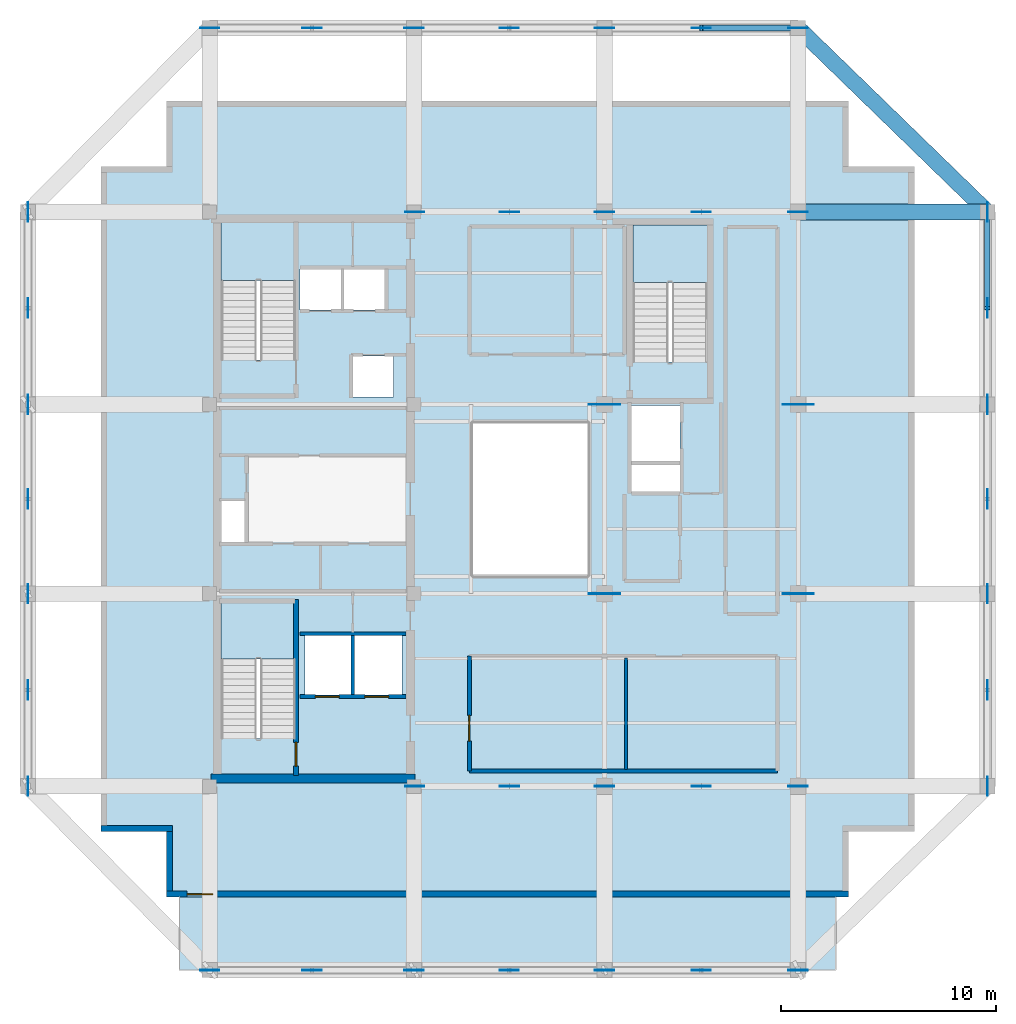
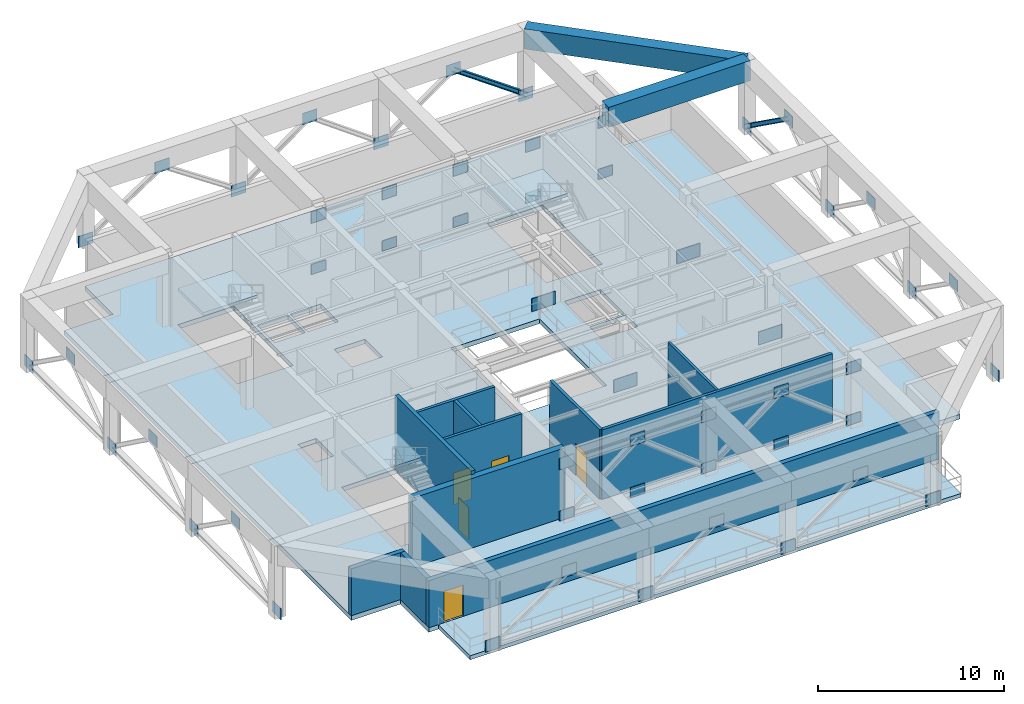
# One storey, part 3 of 10: 52 plates, 11 walls, 5 doors, 5 slabs, 2 beams, 2 members, 5 openings, 3 elements without a shape of their own.
"""IFC4 building model written with IfcOpenShell, lengths in metres."""

from ifc_helpers import new_model, si_unit, direction, frame, frame_2d, origin, origin_2d, place, context, subcontext, project, spatial, polyline, rectangle, i_section, outline, extrude, material, layer, layer_set, material_profile, profile_set, type_object, element, fill, aggregate, save


model = new_model("IFC4")

# Units and contexts
model_context = context("Model", 3, precision=1e-05, world=origin(), true_north=direction((0.0, 1.0)))
body_context = subcontext(model_context, "Body", "Model", "MODEL_VIEW")
ifc_project = project(units=[si_unit("LENGTHUNIT", "METRE"), si_unit("AREAUNIT", "SQUARE_METRE"), si_unit("VOLUMEUNIT", "CUBIC_METRE"), si_unit("PLANEANGLEUNIT", "RADIAN"), si_unit("MASSUNIT", "GRAM", prefix="KILO")], contexts=[model_context])

# Site, building, storey
site_placement = place(None, origin())
site = spatial("IfcSite", under=ifc_project, at=site_placement, CompositionType="ELEMENT")
building_placement = place(site_placement, origin())
building = spatial("IfcBuilding", under=site, at=building_placement, Name="Kundavana Baori Tower", CompositionType="ELEMENT")
storey_placement = place(building_placement, frame((0.0, 0.0, 307.699951171875)))
storey = spatial("IfcBuildingStorey", under=building, at=storey_placement, Name="L76", CompositionType="ELEMENT", Elevation=307.699951171875)

# Beams
ifc_material_1 = material(Name="Concrete C50/60", Category="concrete")
ifc_material_profile_1 = material_profile(ifc_material_1, rectangle(XDim=0.739990234375, YDim=1.320068359375, at=origin_2d()), Name="BM-TG-5")
ifc_profile_set_1 = profile_set([ifc_material_profile_1], Name="Concrete C50/60")
beam_type = type_object("IfcBeamType", Name="BM-TG-5", PredefinedType="USERDEFINED", material=ifc_profile_set_1)
beam_1_placement = place(storey_placement, frame((42.800048828125, 50.5, 4.14013671875), z_axis=(0.717221130298, -0.696845643062, 0.0), x_axis=(0.696845643062, 0.717221130298, 0.0)))
element("IfcBeam", 1, at=beam_1_placement, inside=storey, type_object=beam_type, Name="L76 Notched Corner Perimeter Beam NE", ObjectType="TRANSFER GIRDER", PredefinedType="USERDEFINED", context=body_context, shape_type="SweptSolid", body=[
    extrude(rectangle(XDim=0.739990234375, YDim=1.320068359375, at=origin_2d()), origin(), (0.0, 0.0, 1.0), 12.26953125),
])
beam_2_placement = place(storey_placement, frame((42.800048828125, 41.949951171875, 4.14013671875), z_axis=(1.0, 0.0, 0.0), x_axis=(0.0, 1.0, 0.0)))
element("IfcBeam", 2, at=beam_2_placement, inside=storey, type_object=beam_type, Name="L76 East Radial Transfer Girder E4", ObjectType="TRANSFER GIRDER", PredefinedType="USERDEFINED", context=body_context, shape_type="SweptSolid", body=[
    extrude(rectangle(XDim=0.739990234375, YDim=1.320068359375, at=origin_2d()), origin(), (0.0, 0.0, 1.0), 8.800048828125),
])

# Members
ifc_material_2 = material(Name="Structural Steel S355JR", Category="steel")
ifc_material_profile_2 = material_profile(ifc_material_2, i_section(OverallWidth=0.260009765625, OverallDepth=0.260009765625, WebThickness=0.010009765625, FlangeThickness=0.017578125, FilletRadius=0.02392578125, at=origin_2d()), Name="WPB 260x260x93")
ifc_profile_set_2 = profile_set([ifc_material_profile_2], Name="Structural Steel S355JR")
member_type = type_object("IfcMemberType", Name="MEM-BT-DG260", PredefinedType="BRACE", material=ifc_profile_set_2)
member_1_placement = place(storey_placement, frame((42.800048828125, 50.5, 0.280029296875), z_axis=(-0.814959500914, 0.0, 0.579517913329), x_axis=(0.0, -1.0, 0.0)))
element("IfcMember", 3, at=member_1_placement, inside=storey, type_object=member_type, Name="L76 Perimeter Belt Truss Diagonal N3B", PredefinedType="BRACE", context=body_context, shape_type="SweptSolid", body=[
    extrude(i_section(OverallWidth=0.260009765625, OverallDepth=0.260009765625, WebThickness=0.010009765625, FlangeThickness=0.017578125, FilletRadius=0.02392578125, at=origin_2d()), origin(), (0.0, 0.0, 1.0), 5.521728515625),
])
member_2_placement = place(storey_placement, frame((51.60009765625, 41.949951171875, 0.280029296875), z_axis=(0.0, -0.813421502107, 0.581674702827), x_axis=(1.0, 0.0, 0.0)))
element("IfcMember", 4, at=member_2_placement, inside=storey, type_object=member_type, Name="L76 Perimeter Belt Truss Diagonal E3B", PredefinedType="BRACE", context=body_context, shape_type="SweptSolid", body=[
    extrude(i_section(OverallWidth=0.260009765625, OverallDepth=0.260009765625, WebThickness=0.010009765625, FlangeThickness=0.017578125, FilletRadius=0.02392578125, at=origin_2d()), origin(), (0.0, 0.0, 1.0), 5.501220703125),
])

# Plates
ifc_material_3 = material(Name="Structural Steel S355JR", Category="steel")
ifc_layer_1 = layer(ifc_material_3, 0.031982421875, Name="PLT-GUSSET-32")
ifc_layer_set_1 = layer_set([ifc_layer_1], Name="Structural Steel S355JR")
plate_type_1 = type_object("IfcPlateType", Name="PLT-GUSSET-32", PredefinedType="USERDEFINED", material=ifc_layer_set_1)
for number, where, z_axis, x_axis, name in (
    (5, (24.97998046875, 15.25, -0.094970703125), (0.0, 0.0, 1.0), (1.0, 0.0, 0.0), "L76 Outrigger Truss OT1 Node Gusset Plate 01"),
    (6, (24.97998046875, 15.25, 3.360107421875), (0.0, 0.0, 1.0), (1.0, 0.0, 0.0), "L76 Outrigger Truss OT1 Node Gusset Plate 02"),
    (7, (29.389892578125, 15.25, -0.094970703125), (0.0, 0.0, 1.0), (1.0, 0.0, 0.0), "L76 Outrigger Truss OT1 Node Gusset Plate 03"),
    (8, (29.389892578125, 15.25, 3.360107421875), (0.0, 0.0, 1.0), (1.0, 0.0, 0.0), "L76 Outrigger Truss OT1 Node Gusset Plate 04"),
    (9, (33.800048828125, 15.25, -0.094970703125), (0.0, 0.0, 1.0), (1.0, 0.0, 0.0), "L76 Outrigger Truss OT1 Node Gusset Plate 05"),
    (10, (33.800048828125, 15.25, 3.360107421875), (0.0, 0.0, 1.0), (1.0, 0.0, 0.0), "L76 Outrigger Truss OT1 Node Gusset Plate 06"),
    (11, (38.300048828125, 15.25, -0.094970703125), (0.0, 0.0, 1.0), (1.0, 0.0, 0.0), "L76 Outrigger Truss OT1 Node Gusset Plate 07"),
    (12, (38.300048828125, 15.25, 3.360107421875), (0.0, 0.0, 1.0), (1.0, 0.0, 0.0), "L76 Outrigger Truss OT1 Node Gusset Plate 08"),
    (13, (42.800048828125, 15.25, -0.094970703125), (0.0, 0.0, 1.0), (1.0, 0.0, 0.0), "L76 Outrigger Truss OT1 Node Gusset Plate 09"),
    (14, (42.800048828125, 15.25, 3.360107421875), (0.0, 0.0, 1.0), (1.0, 0.0, 0.0), "L76 Outrigger Truss OT1 Node Gusset Plate 10"),
    (15, (24.97998046875, 41.949951171875, -0.094970703125), (0.0, 0.0, 1.0), (1.0, 0.0, 0.0), "L76 Outrigger Truss OT2 Node Gusset Plate 11"),
    (16, (24.97998046875, 41.949951171875, 3.360107421875), (0.0, 0.0, 1.0), (1.0, 0.0, 0.0), "L76 Outrigger Truss OT2 Node Gusset Plate 12"),
    (17, (29.389892578125, 41.949951171875, -0.094970703125), (0.0, 0.0, 1.0), (1.0, 0.0, 0.0), "L76 Outrigger Truss OT2 Node Gusset Plate 13"),
    (18, (29.389892578125, 41.949951171875, 3.360107421875), (0.0, 0.0, 1.0), (1.0, 0.0, 0.0), "L76 Outrigger Truss OT2 Node Gusset Plate 14"),
    (19, (33.800048828125, 41.949951171875, -0.094970703125), (0.0, 0.0, 1.0), (1.0, 0.0, 0.0), "L76 Outrigger Truss OT2 Node Gusset Plate 15"),
    (20, (33.800048828125, 41.949951171875, 3.360107421875), (0.0, 0.0, 1.0), (1.0, 0.0, 0.0), "L76 Outrigger Truss OT2 Node Gusset Plate 16"),
    (21, (38.300048828125, 41.949951171875, -0.094970703125), (0.0, 0.0, 1.0), (1.0, 0.0, 0.0), "L76 Outrigger Truss OT2 Node Gusset Plate 17"),
    (22, (38.300048828125, 41.949951171875, 3.360107421875), (0.0, 0.0, 1.0), (1.0, 0.0, 0.0), "L76 Outrigger Truss OT2 Node Gusset Plate 18"),
    (23, (42.800048828125, 41.949951171875, -0.094970703125), (0.0, 0.0, 1.0), (1.0, 0.0, 0.0), "L76 Outrigger Truss OT2 Node Gusset Plate 19"),
    (24, (42.800048828125, 41.949951171875, 3.360107421875), (0.0, 0.0, 1.0), (1.0, 0.0, 0.0), "L76 Outrigger Truss OT2 Node Gusset Plate 20"),
    (25, (15.449951171875, 6.699951171875, -0.094970703125), (0.0, 0.0, 1.0), (1.0, 0.0, 0.0), "L76 Belt Truss S Gusset Plate 21"),
    (26, (24.949951171875, 6.699951171875, -0.094970703125), (0.0, 0.0, 1.0), (1.0, 0.0, 0.0), "L76 Belt Truss S Gusset Plate 22"),
    (27, (20.199951171875, 6.699951171875, 3.10498046875), (0.0, 0.0, 1.0), (1.0, 0.0, 0.0), "L76 Belt Truss Apex S Gusset Plate 23"),
    (28, (33.800048828125, 6.699951171875, -0.094970703125), (0.0, 0.0, 1.0), (1.0, 0.0, 0.0), "L76 Belt Truss S Gusset Plate 24"),
    (29, (29.375, 6.699951171875, 3.10498046875), (0.0, 0.0, 1.0), (1.0, 0.0, 0.0), "L76 Belt Truss Apex S Gusset Plate 25"),
    (30, (42.800048828125, 6.699951171875, -0.094970703125), (0.0, 0.0, 1.0), (1.0, 0.0, 0.0), "L76 Belt Truss S Gusset Plate 26"),
    (31, (38.300048828125, 6.699951171875, 3.10498046875), (0.0, 0.0, 1.0), (1.0, 0.0, 0.0), "L76 Belt Truss Apex S Gusset Plate 27"),
    (32, (15.449951171875, 50.5, -0.094970703125), (0.0, 0.0, 1.0), (1.0, 0.0, 0.0), "L76 Belt Truss N Gusset Plate 28"),
    (33, (24.949951171875, 50.5, -0.094970703125), (0.0, 0.0, 1.0), (1.0, 0.0, 0.0), "L76 Belt Truss N Gusset Plate 29"),
    (34, (20.199951171875, 50.5, 3.10498046875), (0.0, 0.0, 1.0), (1.0, 0.0, 0.0), "L76 Belt Truss Apex N Gusset Plate 30"),
    (35, (33.800048828125, 50.5, -0.094970703125), (0.0, 0.0, 1.0), (1.0, 0.0, 0.0), "L76 Belt Truss N Gusset Plate 31"),
    (36, (29.375, 50.5, 3.10498046875), (0.0, 0.0, 1.0), (1.0, 0.0, 0.0), "L76 Belt Truss Apex N Gusset Plate 32"),
    (37, (42.800048828125, 50.5, -0.094970703125), (0.0, 0.0, 1.0), (1.0, 0.0, 0.0), "L76 Belt Truss N Gusset Plate 33"),
    (38, (38.300048828125, 50.5, 3.10498046875), (0.0, 0.0, 1.0), (1.0, 0.0, 0.0), "L76 Belt Truss Apex N Gusset Plate 34"),
):
    element("IfcPlate", number, at=place(storey_placement, frame(where, z_axis=z_axis, x_axis=x_axis)), inside=storey, type_object=plate_type_1, Name=name, ObjectType="GUSSET PLATE", PredefinedType="USERDEFINED", context=body_context, shape_type="SweptSolid", body=[
        extrude(rectangle(XDim=0.89990234375, YDim=0.031982421875, at=origin_2d()), origin(), (0.0, 0.0, 1.0), 0.75),
    ])
for number, where, z_axis, x_axis, name in (
    (39, (7.0, 15.25, -0.094970703125), (0.0, 0.0, 1.0), (1.0, 0.0, 0.0), "L76 Belt Truss W Gusset Plate 35"),
    (40, (7.0, 24.199951171875, -0.094970703125), (0.0, 0.0, 1.0), (1.0, 0.0, 0.0), "L76 Belt Truss W Gusset Plate 36"),
    (41, (7.0, 19.72509765625, 3.10498046875), (0.0, 0.0, 1.0), (1.0, 0.0, 0.0), "L76 Belt Truss Apex W Gusset Plate 37"),
    (42, (7.0, 33.0, -0.094970703125), (0.0, 0.0, 1.0), (1.0, 0.0, 0.0), "L76 Belt Truss W Gusset Plate 38"),
    (43, (7.0, 28.60009765625, 3.10498046875), (0.0, 0.0, 1.0), (1.0, 0.0, 0.0), "L76 Belt Truss Apex W Gusset Plate 39"),
    (44, (7.0, 41.949951171875, -0.094970703125), (0.0, 0.0, 1.0), (1.0, 0.0, 0.0), "L76 Belt Truss W Gusset Plate 40"),
    (45, (7.0, 37.47509765625, 3.10498046875), (0.0, 0.0, 1.0), (1.0, 0.0, 0.0), "L76 Belt Truss Apex W Gusset Plate 41"),
    (46, (51.60009765625, 15.25, -0.094970703125), (0.0, 0.0, 1.0), (1.0, 0.0, 0.0), "L76 Belt Truss E Gusset Plate 42"),
    (47, (51.60009765625, 24.199951171875, -0.094970703125), (0.0, 0.0, 1.0), (1.0, 0.0, 0.0), "L76 Belt Truss E Gusset Plate 43"),
    (48, (51.60009765625, 19.72509765625, 3.10498046875), (0.0, 0.0, 1.0), (1.0, 0.0, 0.0), "L76 Belt Truss Apex E Gusset Plate 44"),
    (49, (51.60009765625, 33.0, -0.094970703125), (0.0, 0.0, 1.0), (1.0, 0.0, 0.0), "L76 Belt Truss E Gusset Plate 45"),
    (50, (51.60009765625, 28.60009765625, 3.10498046875), (0.0, 0.0, 1.0), (1.0, 0.0, 0.0), "L76 Belt Truss Apex E Gusset Plate 46"),
    (51, (51.60009765625, 41.949951171875, -0.094970703125), (0.0, 0.0, 1.0), (1.0, 0.0, 0.0), "L76 Belt Truss E Gusset Plate 47"),
    (52, (51.60009765625, 37.47509765625, 3.10498046875), (0.0, 0.0, 1.0), (1.0, 0.0, 0.0), "L76 Belt Truss Apex E Gusset Plate 48"),
):
    element("IfcPlate", number, at=place(storey_placement, frame(where, z_axis=z_axis, x_axis=x_axis)), inside=storey, type_object=plate_type_1, Name=name, ObjectType="GUSSET PLATE", PredefinedType="USERDEFINED", context=body_context, shape_type="SweptSolid", body=[
        extrude(rectangle(XDim=0.031982421875, YDim=0.89990234375, at=origin_2d()), origin(), (0.0, 0.0, 1.0), 0.75),
    ])
ifc_material_4 = material(Name="Structural Steel S355JR", Category="steel")
ifc_layer_2 = layer(ifc_material_4, 0.028076171875, Name="PLT-SPLICE-28")
ifc_layer_set_2 = layer_set([ifc_layer_2], Name="Structural Steel S355JR")
plate_type_2 = type_object("IfcPlateType", Name="PLT-SPLICE-28", PredefinedType="SHEET", material=ifc_layer_set_2)
for number, where, z_axis, x_axis, name in (
    (53, (33.800048828125, 24.199951171875, 0.0), (0.0, 0.0, 1.0), (1.0, 0.0, 0.0), "L76 Column Splice Plate IC-5D"),
    (54, (33.800048828125, 33.0, 0.0), (0.0, 0.0, 1.0), (1.0, 0.0, 0.0), "L76 Column Splice Plate IC-5E"),
    (55, (42.800048828125, 24.199951171875, 0.0), (0.0, 0.0, 1.0), (1.0, 0.0, 0.0), "L76 Column Splice Plate IC-6D"),
    (56, (42.800048828125, 33.0, 0.0), (0.0, 0.0, 1.0), (1.0, 0.0, 0.0), "L76 Column Splice Plate IC-6E"),
):
    element("IfcPlate", number, at=place(storey_placement, frame(where, z_axis=z_axis, x_axis=x_axis)), inside=storey, type_object=plate_type_2, Name=name, PredefinedType="SHEET", context=body_context, shape_type="SweptSolid", body=[
        extrude(rectangle(XDim=1.449951171875, YDim=0.028076171875, at=origin_2d()), origin(), (0.0, 0.0, 1.0), 0.85009765625),
    ])

# Slab
ifc_material_5 = material(Name="Concrete C40/50", Category="concrete")
ifc_layer_3 = layer(ifc_material_5, 0.300048828125, Name="SLB-FLR-300")
ifc_layer_set_3 = layer_set([ifc_layer_3], Name="Concrete C40/50")
slab_type_1 = type_object("IfcSlabType", Name="SLB-FLR-300", PredefinedType="FLOOR", material=ifc_layer_set_3)
slab_1_placement = place(storey_placement, frame((0.0, 0.0, -0.300048828125)))
element("IfcSlab", 57, at=slab_1_placement, inside=storey, type_object=slab_type_1, Name="L76 Structural Floor Slab", PredefinedType="FLOOR", context=body_context, shape_type="SweptSolid", body=[
    extrude(outline(polyline([(13.449951171875, 10.10009765625), (45.14990234375, 10.10009765625), (45.14990234375, 13.14990234375), (48.199951171875, 13.14990234375), (48.199951171875, 44.050048828125), (45.14990234375, 44.050048828125), (45.14990234375, 47.10009765625), (13.449951171875, 47.10009765625), (13.449951171875, 44.050048828125), (10.39990234375, 44.050048828125), (10.39990234375, 13.14990234375), (13.449951171875, 13.14990234375), (13.449951171875, 10.10009765625)]), holes=[polyline([(19.43994140625, 17.4619140625), (19.43994140625, 23.85009765625), (15.97998046875, 23.85009765625), (15.97998046875, 17.4619140625), (19.43994140625, 17.4619140625)]), polyline([(19.43994140625, 35.06201171875), (19.43994140625, 41.449951171875), (15.97998046875, 41.449951171875), (15.97998046875, 35.06201171875), (19.43994140625, 35.06201171875)]), polyline([(38.580078125, 34.9619140625), (38.580078125, 41.35009765625), (35.1201171875, 41.35009765625), (35.1201171875, 34.9619140625), (38.580078125, 34.9619140625)]), polyline([(19.64990234375, 37.39990234375), (21.550048828125, 37.39990234375), (21.550048828125, 39.300048828125), (19.64990234375, 39.300048828125), (19.64990234375, 37.39990234375)]), polyline([(21.699951171875, 37.39990234375), (23.60009765625, 37.39990234375), (23.60009765625, 39.300048828125), (21.699951171875, 39.300048828125), (21.699951171875, 37.39990234375)]), polyline([(22.10009765625, 33.35009765625), (24.0, 33.35009765625), (24.0, 35.25), (22.10009765625, 35.25), (22.10009765625, 33.35009765625)]), polyline([(19.8798828125, 19.5), (22.02001953125, 19.5), (22.02001953125, 22.25), (19.8798828125, 22.25), (19.8798828125, 19.5)]), polyline([(22.179931640625, 19.5), (24.3798828125, 19.5), (24.3798828125, 22.25), (22.179931640625, 22.25), (22.179931640625, 19.5)]), polyline([(35.050048828125, 30.35009765625), (37.300048828125, 30.35009765625), (37.300048828125, 32.949951171875), (35.050048828125, 32.949951171875), (35.050048828125, 30.35009765625)]), polyline([(15.949951171875, 26.60009765625), (17.080078125, 26.60009765625), (17.080078125, 28.5), (15.949951171875, 28.5), (15.949951171875, 26.60009765625)]), polyline([(35.050048828125, 28.949951171875), (37.300048828125, 28.949951171875), (37.300048828125, 30.199951171875), (35.050048828125, 30.199951171875), (35.050048828125, 28.949951171875)]), polyline([(27.60009765625, 25.0), (33.10009765625, 25.0), (33.10009765625, 32.199951171875), (27.60009765625, 32.199951171875), (27.60009765625, 25.0)])]), origin(), (0.0, 0.0, 1.0), 0.300048828125),
])

# Stair, slab
ifc_material_6 = material(Name="Concrete C40/50", Category="concrete")
stair_type = type_object("IfcStairType", Name="STR-DOG-1650", PredefinedType="HALF_TURN_STAIR", material=ifc_material_6)
stair_1_placement = place(storey_placement, origin())
stair_1 = element("IfcStair", 58, at=stair_1_placement, inside=storey, type_object=stair_type, Name="L76 Protected Exit Stair ST1", PredefinedType="HALF_TURN_STAIR")
ifc_material_7 = material(Name="Concrete C40/50", Category="concrete")
ifc_layer_4 = layer(ifc_material_7, 0.199951171875, Name="SLB-LND-200")
ifc_layer_set_4 = layer_set([ifc_layer_4], Name="Concrete C40/50")
slab_type_2 = type_object("IfcSlabType", Name="SLB-LND-200", PredefinedType="LANDING", material=ifc_layer_set_4)
slab_2_placement = place(storey_placement, frame((0.0, 0.0, 2.199951171875)))
slab_2 = element("IfcSlab", 59, at=slab_2_placement, type_object=slab_type_2, Name="ST1 landing 1", PredefinedType="LANDING", context=body_context, shape_type="SweptSolid", body=[
    extrude(outline(polyline([(19.43994140625, 21.169921875), (19.43994140625, 23.85009765625), (15.97998046875, 23.85009765625), (15.97998046875, 21.169921875), (19.43994140625, 21.169921875)])), origin(), (0.0, 0.0, 1.0), 0.2001953125),
])
aggregate(stair_1, [slab_2])

stair_2_placement = place(storey_placement, origin())
stair_2 = element("IfcStair", 60, at=stair_2_placement, inside=storey, type_object=stair_type, Name="L76 Protected Exit Stair ST2", PredefinedType="HALF_TURN_STAIR")
slab_3_placement = place(storey_placement, frame((0.0, 0.0, 2.199951171875)))
slab_3 = element("IfcSlab", 61, at=slab_3_placement, type_object=slab_type_2, Name="ST2 landing 1", PredefinedType="LANDING", context=body_context, shape_type="SweptSolid", body=[
    extrude(outline(polyline([(19.43994140625, 38.77001953125), (19.43994140625, 41.449951171875), (15.97998046875, 41.449951171875), (15.97998046875, 38.77001953125), (19.43994140625, 38.77001953125)])), origin(), (0.0, 0.0, 1.0), 0.2001953125),
])
aggregate(stair_2, [slab_3])

stair_3_placement = place(storey_placement, origin())
stair_3 = element("IfcStair", 62, at=stair_3_placement, inside=storey, type_object=stair_type, Name="L76 Protected Exit Stair ST3", PredefinedType="HALF_TURN_STAIR")
slab_4_placement = place(storey_placement, frame((0.0, 0.0, 2.199951171875)))
slab_4 = element("IfcSlab", 63, at=slab_4_placement, type_object=slab_type_2, Name="ST3 landing 1", PredefinedType="LANDING", context=body_context, shape_type="SweptSolid", body=[
    extrude(outline(polyline([(38.580078125, 38.669921875), (38.580078125, 41.35009765625), (35.1201171875, 41.35009765625), (35.1201171875, 38.669921875), (38.580078125, 38.669921875)])), origin(), (0.0, 0.0, 1.0), 0.2001953125),
])
aggregate(stair_3, [slab_4])

# Slab
ifc_material_8 = material(Name="Concrete C40/50", Category="concrete")
ifc_layer_5 = layer(ifc_material_8, 0.260009765625, Name="SLB-TER-260")
ifc_layer_set_5 = layer_set([ifc_layer_5], Name="Concrete C40/50")
slab_type_3 = type_object("IfcSlabType", Name="SLB-TER-260", PredefinedType="ROOF", material=ifc_layer_set_5)
slab_5_placement = place(storey_placement, frame((0.0, 0.0, -0.260009765625)))
element("IfcSlab", 64, at=slab_5_placement, inside=storey, type_object=slab_type_3, Name="L76 Planted Sky Terrace Slab S", PredefinedType="ROOF", context=body_context, shape_type="SweptSolid", body=[
    extrude(outline(polyline([(14.050048828125, 10.10009765625), (44.550048828125, 10.10009765625), (44.550048828125, 6.699951171875), (14.050048828125, 6.699951171875), (14.050048828125, 10.10009765625)])), origin(), (0.0, 0.0, 1.0), 0.260009765625),
])

# Wall
ifc_material_9 = material(Name="Concrete C50/60", Category="concrete")
ifc_layer_6 = layer(ifc_material_9, 0.39990234375, Name="WL-CORE-400")
ifc_layer_set_6 = layer_set([ifc_layer_6], Name="Concrete C50/60")
wall_type_1 = type_object("IfcWallType", Name="WL-CORE-400", PredefinedType="SHEAR", material=ifc_layer_set_6)
wall_1_placement = place(storey_placement, frame((15.5, 15.610107421875, 0.0), z_axis=(0.0, 0.0, 1.0), x_axis=(1.0, 0.0, 0.0)))
element("IfcWall", 65, at=wall_1_placement, inside=storey, type_object=wall_type_1, Name="L76 Offset Core South Shear Wall", PredefinedType="SHEAR", context=body_context, shape_type="SweptSolid", body=[
    extrude(rectangle(XDim=9.47998046875, YDim=0.39990234375, at=frame_2d((4.739990234375, 0.0))), origin(), (0.0, 0.0, 1.0), 4.56005859375),
])

# Wall, opening, door
wall_2_placement = place(storey_placement, frame((19.4599609375, 15.739990234375, 0.0), z_axis=(0.0, 0.0, 1.0), x_axis=(0.0, 1.0, 0.0)))
wall_2 = element("IfcWall", 66, at=wall_2_placement, inside=storey, type_object=wall_type_1, Name="WL-L76-ST1-E", PredefinedType="SHEAR", context=body_context, shape_type="SweptSolid", body=[
    extrude(rectangle(XDim=8.199951171875, YDim=0.239990234375, at=frame_2d((4.10009765625, 0.0))), origin(), (0.0, 0.0, 1.0), 4.800048828125),
])
opening_1_placement = place(wall_2_placement, frame((0.449951171875, 0.0, 0.0)))
opening_1 = element("IfcOpeningElement", 67, at=opening_1_placement, cuts=wall_2, Name="Opening FD-110", PredefinedType="OPENING", context=body_context, shape_type="SweptSolid", body=[
    extrude(rectangle(XDim=1.10009765625, YDim=2.10009765625, at=frame_2d((0.550048828125, 1.050048828125))), frame((0.0, 0.1298828125, 0.0), z_axis=(0.0, -1.0, 0.0), x_axis=(1.0, 0.0, 0.0)), (0.0, 0.0, 1.0), 0.260009765625),
])
ifc_material_10 = material(Name="Galvanised Steel Fire-Rated Door Leaf", Category="steel")
door_type_1 = type_object("IfcDoorType", Name="DR-FD120-1100", OperationType="NOTDEFINED", PredefinedType="DOOR", material=ifc_material_10)
door_1_placement = place(opening_1_placement, origin())
door_1 = element("IfcDoor", 68, at=door_1_placement, inside=storey, type_object=door_type_1, Name="DR-L76-ST1", OperationType="SINGLE_SWING_LEFT", OverallHeight=2.10009765625, OverallWidth=1.10009765625, PredefinedType="DOOR", context=body_context, shape_type="SweptSolid", body=[
    extrude(rectangle(XDim=1.10009765625, YDim=2.10009765625, at=frame_2d((0.550048828125, 1.050048828125))), frame((0.0, 0.02490234375, 0.0), z_axis=(0.0, -1.0, 0.0), x_axis=(1.0, 0.0, 0.0)), (0.0, 0.0, 1.0), 0.050048828125),
])
fill(opening_1, door_1)

ifc_material_11 = material(Name="Red-Buff Dholpur Sandstone Cladding on Concrete C40/50", Category="masonry")
ifc_layer_7 = layer(ifc_material_11, 0.280029296875, Name="WL-EXT-SAND-280")
ifc_layer_set_7 = layer_set([ifc_layer_7], Name="Red-Buff Dholpur Sandstone Cladding on Concrete C40/50")
wall_type_2 = type_object("IfcWallType", Name="WL-EXT-SAND-280", PredefinedType="STANDARD", material=ifc_layer_set_7)
wall_3_placement = place(storey_placement, frame((13.449951171875, 10.239990234375, 0.0), z_axis=(0.0, 0.0, 1.0), x_axis=(1.0, 0.0, 0.0)))
wall_3 = element("IfcWall", 69, at=wall_3_placement, inside=storey, type_object=wall_type_2, Name="L76 Exterior Insulated Facade Wall 01", PredefinedType="STANDARD", context=body_context, shape_type="SweptSolid", body=[
    extrude(rectangle(XDim=31.699951171875, YDim=0.280029296875, at=frame_2d((15.85009765625, 0.0))), origin(), (0.0, 0.0, 1.0), 3.080078125),
])
opening_2_placement = place(wall_3_placement, frame((0.949951171875, 0.0, 0.0)))
opening_2 = element("IfcOpeningElement", 70, at=opening_2_placement, cuts=wall_3, Name="Opening TD-1", PredefinedType="OPENING", context=body_context, shape_type="SweptSolid", body=[
    extrude(rectangle(XDim=1.199951171875, YDim=2.050048828125, at=frame_2d((0.60009765625, 1.02490234375))), frame((0.0, 0.14990234375, 0.0), z_axis=(0.0, -1.0, 0.0), x_axis=(1.0, 0.0, 0.0)), (0.0, 0.0, 1.0), 0.300048828125),
])
ifc_material_12 = material(Name="Architectural Patinated Bronze Metalwork")
door_type_2 = type_object("IfcDoorType", Name="DR-EXT-TER-1200", OperationType="NOTDEFINED", PredefinedType="DOOR", material=ifc_material_12)
door_2_placement = place(opening_2_placement, frame((1.199951171875, 0.0, 0.0), z_axis=(0.0, 0.0, 1.0), x_axis=(-1.0, 0.0, 0.0)))
door_2 = element("IfcDoor", 71, at=door_2_placement, inside=storey, type_object=door_type_2, Name="L76 Terrace Access Door S", OperationType="SINGLE_SWING_LEFT", OverallHeight=2.050048828125, OverallWidth=1.199951171875, PredefinedType="DOOR", context=body_context, shape_type="SweptSolid", body=[
    extrude(rectangle(XDim=1.199951171875, YDim=2.050048828125, at=frame_2d((0.60009765625, 1.02490234375))), frame((0.0, 0.02490234375, 0.0), z_axis=(0.0, -1.0, 0.0), x_axis=(1.0, 0.0, 0.0)), (0.0, 0.0, 1.0), 0.050048828125),
])
fill(opening_2, door_2)

# Walls
wall_4_placement = place(storey_placement, frame((10.39990234375, 13.2900390625, 0.0), z_axis=(0.0, 0.0, 1.0), x_axis=(1.0, 0.0, 0.0)))
element("IfcWall", 72, at=wall_4_placement, inside=storey, type_object=wall_type_2, Name="L76 Exterior Insulated Facade Wall 11", PredefinedType="STANDARD", context=body_context, shape_type="SweptSolid", body=[
    extrude(rectangle(XDim=3.330078125, YDim=0.280029296875, at=frame_2d((1.6650390625, 0.0))), origin(), (0.0, 0.0, 1.0), 3.080078125),
])
wall_5_placement = place(storey_placement, frame((13.590087890625, 13.14990234375, 0.0), z_axis=(0.0, 0.0, 1.0), x_axis=(0.0, -1.0, 0.0)))
element("IfcWall", 73, at=wall_5_placement, inside=storey, type_object=wall_type_2, Name="L76 Exterior Insulated Facade Wall 12", PredefinedType="STANDARD", context=body_context, shape_type="SweptSolid", body=[
    extrude(rectangle(XDim=2.77001953125, YDim=0.280029296875, at=frame_2d((1.385009765625, 0.0))), origin(), (0.0, 0.0, 1.0), 3.080078125),
])
ifc_material_13 = material(Name="Fire-Rated Gypsum Drywall on Galvanised Steel Studs", Category="steel")
ifc_layer_8 = layer(ifc_material_13, 0.14990234375, Name="WL-PART-150")
ifc_layer_set_8 = layer_set([ifc_layer_8], Name="Fire-Rated Gypsum Drywall on Galvanised Steel Studs")
wall_type_3 = type_object("IfcWallType", Name="WL-PART-150", PredefinedType="PARTITIONING", material=ifc_layer_set_8)
wall_6_placement = place(storey_placement, frame((34.800048828125, 16.030029296875, 0.0), z_axis=(0.0, 0.0, 1.0), x_axis=(0.0, 1.0, 0.0)))
element("IfcWall", 74, at=wall_6_placement, inside=storey, type_object=wall_type_3, Name="WL-L76-REF-D", PredefinedType="PARTITIONING", context=body_context, shape_type="SweptSolid", body=[
    extrude(rectangle(XDim=5.18994140625, YDim=0.14990234375, at=frame_2d((2.594970703125, 0.0))), origin(), (0.0, 0.0, 1.0), 4.56005859375),
])

# Wall, opening, door
ifc_material_14 = material(Name="Autoclaved Aerated Concrete Blockwork Masonry", Category="masonry")
ifc_layer_9 = layer(ifc_material_14, 0.18505859375, Name="WL-PART-180")
ifc_layer_set_9 = layer_set([ifc_layer_9], Name="Autoclaved Aerated Concrete Blockwork Masonry")
wall_type_4 = type_object("IfcWallType", Name="WL-PART-180", PredefinedType="SOLIDWALL", material=ifc_layer_set_9)
wall_7_placement = place(storey_placement, frame((27.52001953125, 15.949951171875, 0.0), z_axis=(0.0, 0.0, 1.0), x_axis=(0.0, 1.0, 0.0)))
wall_7 = element("IfcWall", 75, at=wall_7_placement, inside=storey, type_object=wall_type_4, Name="WL-L76-REF-W", PredefinedType="SOLIDWALL", context=body_context, shape_type="SweptSolid", body=[
    extrude(rectangle(XDim=5.35009765625, YDim=0.18505859375, at=frame_2d((2.675048828125, 0.0))), origin(), (0.0, 0.0, 1.0), 4.56005859375),
])
opening_3_placement = place(wall_7_placement, frame((1.39990234375, 0.0, 0.0)))
opening_3 = element("IfcOpeningElement", 76, at=opening_3_placement, cuts=wall_7, Name="Opening FD-120", PredefinedType="OPENING", context=body_context, shape_type="SweptSolid", body=[
    extrude(rectangle(XDim=1.199951171875, YDim=2.10009765625, at=frame_2d((0.60009765625, 1.050048828125))), frame((0.0, 0.1025390625, 0.0), z_axis=(0.0, -1.0, 0.0), x_axis=(1.0, 0.0, 0.0)), (0.0, 0.0, 1.0), 0.205078125),
])
ifc_material_15 = material(Name="Galvanised Steel Fire-Rated Door Leaf", Category="steel")
door_type_3 = type_object("IfcDoorType", Name="DR-FD120-1200", OperationType="NOTDEFINED", PredefinedType="DOOR", material=ifc_material_15)
door_3_placement = place(opening_3_placement, origin())
door_3 = element("IfcDoor", 77, at=door_3_placement, inside=storey, type_object=door_type_3, Name="DR-L76-REF1", OperationType="SINGLE_SWING_LEFT", OverallHeight=2.10009765625, OverallWidth=1.199951171875, PredefinedType="DOOR", context=body_context, shape_type="SweptSolid", body=[
    extrude(rectangle(XDim=1.199951171875, YDim=2.10009765625, at=frame_2d((0.60009765625, 1.050048828125))), frame((0.0, 0.02490234375, 0.0), z_axis=(0.0, -1.0, 0.0), x_axis=(1.0, 0.0, 0.0)), (0.0, 0.0, 1.0), 0.050048828125),
])
fill(opening_3, door_3)

# Wall
wall_8_placement = place(storey_placement, frame((27.52001953125, 15.949951171875, 0.0), z_axis=(0.0, 0.0, 1.0), x_axis=(1.0, 0.0, 0.0)))
element("IfcWall", 78, at=wall_8_placement, inside=storey, type_object=wall_type_4, Name="WL-L76-REF-S", PredefinedType="SOLIDWALL", context=body_context, shape_type="SweptSolid", body=[
    extrude(rectangle(XDim=14.330078125, YDim=0.18505859375, at=frame_2d((7.1650390625, 0.0))), origin(), (0.0, 0.0, 1.0), 4.56005859375),
])

# Wall, openings, doors
ifc_material_16 = material(Name="Autoclaved Aerated Concrete Blockwork Masonry", Category="masonry")
ifc_layer_10 = layer(ifc_material_16, 0.179931640625, Name="WL-SHAFT-180")
ifc_layer_set_10 = layer_set([ifc_layer_10], Name="Autoclaved Aerated Concrete Blockwork Masonry")
wall_type_5 = type_object("IfcWallType", Name="WL-SHAFT-180", PredefinedType="SOLIDWALL", material=ifc_layer_set_10)
wall_9_placement = place(storey_placement, frame((19.639892578125, 19.419921875, 0.0), z_axis=(0.0, 0.0, 1.0), x_axis=(1.0, 0.0, 0.0)))
wall_9 = element("IfcWall", 79, at=wall_9_placement, inside=storey, type_object=wall_type_5, Name="WL-L76-FFL-S", PredefinedType="SOLIDWALL", context=body_context, shape_type="SweptSolid", body=[
    extrude(rectangle(XDim=4.940185546875, YDim=0.179931640625, at=frame_2d((2.47021484375, 0.0))), origin(), (0.0, 0.0, 1.0), 4.56005859375),
])
opening_4_placement = place(wall_9_placement, frame((0.719970703125, 0.0, 0.0)))
opening_4 = element("IfcOpeningElement", 80, at=opening_4_placement, cuts=wall_9, Name="Opening LD-110", PredefinedType="OPENING", context=body_context, shape_type="SweptSolid", body=[
    extrude(rectangle(XDim=1.10009765625, YDim=2.10009765625, at=frame_2d((0.550048828125, 1.050048828125))), frame((0.0, 0.10009765625, 0.0), z_axis=(0.0, -1.0, 0.0), x_axis=(1.0, 0.0, 0.0)), (0.0, 0.0, 1.0), 0.199951171875),
])
opening_5_placement = place(wall_9_placement, frame((3.02001953125, 0.0, 0.0)))
opening_5 = element("IfcOpeningElement", 81, at=opening_5_placement, cuts=wall_9, Name="Opening LD-110", PredefinedType="OPENING", context=body_context, shape_type="SweptSolid", body=[
    extrude(rectangle(XDim=1.10009765625, YDim=2.10009765625, at=frame_2d((0.550048828125, 1.050048828125))), frame((0.0, 0.10009765625, 0.0), z_axis=(0.0, -1.0, 0.0), x_axis=(1.0, 0.0, 0.0)), (0.0, 0.0, 1.0), 0.199951171875),
])
ifc_material_17 = material(Name="Galvanised Steel Fire-Rated Door Leaf", Category="steel")
door_type_4 = type_object("IfcDoorType", Name="DR-SLIDE-LD1100", OperationType="NOTDEFINED", PredefinedType="DOOR", material=ifc_material_17)
door_4_placement = place(opening_4_placement, origin())
door_4 = element("IfcDoor", 82, at=door_4_placement, inside=storey, type_object=door_type_4, Name="DR-L76-LD-FFL-1", OperationType="DOUBLE_DOOR_SLIDING", OverallHeight=2.10009765625, OverallWidth=1.10009765625, PredefinedType="DOOR", context=body_context, shape_type="SweptSolid", body=[
    extrude(rectangle(XDim=1.10009765625, YDim=2.10009765625, at=frame_2d((0.550048828125, 1.050048828125))), frame((0.0, 0.02490234375, 0.0), z_axis=(0.0, -1.0, 0.0), x_axis=(1.0, 0.0, 0.0)), (0.0, 0.0, 1.0), 0.050048828125),
])
fill(opening_4, door_4)
door_5_placement = place(opening_5_placement, origin())
door_5 = element("IfcDoor", 83, at=door_5_placement, inside=storey, type_object=door_type_4, Name="DR-L76-LD-FFL-2", OperationType="DOUBLE_DOOR_SLIDING", OverallHeight=2.10009765625, OverallWidth=1.10009765625, PredefinedType="DOOR", context=body_context, shape_type="SweptSolid", body=[
    extrude(rectangle(XDim=1.10009765625, YDim=2.10009765625, at=frame_2d((0.550048828125, 1.050048828125))), frame((0.0, 0.02490234375, 0.0), z_axis=(0.0, -1.0, 0.0), x_axis=(1.0, 0.0, 0.0)), (0.0, 0.0, 1.0), 0.050048828125),
])
fill(opening_5, door_5)

# Walls
wall_10_placement = place(storey_placement, frame((22.10009765625, 19.510009765625, 0.0), z_axis=(0.0, 0.0, 1.0), x_axis=(0.0, 1.0, 0.0)))
element("IfcWall", 84, at=wall_10_placement, inside=storey, type_object=wall_type_5, Name="WL-L76-FFL-MID", PredefinedType="SOLIDWALL", context=body_context, shape_type="SweptSolid", body=[
    extrude(rectangle(XDim=2.739990234375, YDim=0.179931640625, at=frame_2d((1.3701171875, 0.0))), origin(), (0.0, 0.0, 1.0), 4.56005859375),
])
wall_11_placement = place(storey_placement, frame((19.639892578125, 22.340087890625, 0.0), z_axis=(0.0, 0.0, 1.0), x_axis=(1.0, 0.0, 0.0)))
element("IfcWall", 85, at=wall_11_placement, inside=storey, type_object=wall_type_5, Name="WL-L76-FFL-N", PredefinedType="SOLIDWALL", context=body_context, shape_type="SweptSolid", body=[
    extrude(rectangle(XDim=4.940185546875, YDim=0.179931640625, at=frame_2d((2.47021484375, 0.0))), origin(), (0.0, 0.0, 1.0), 4.56005859375),
])

save(model, "model.ifc")
